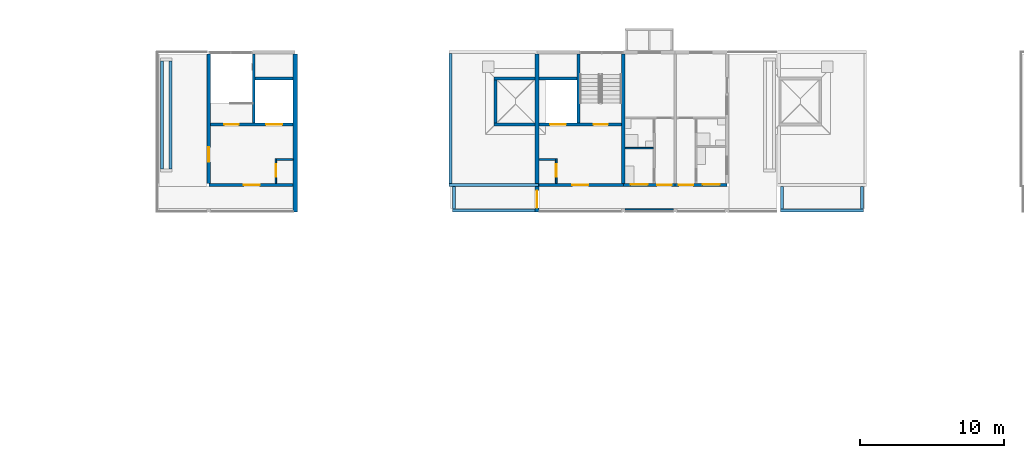
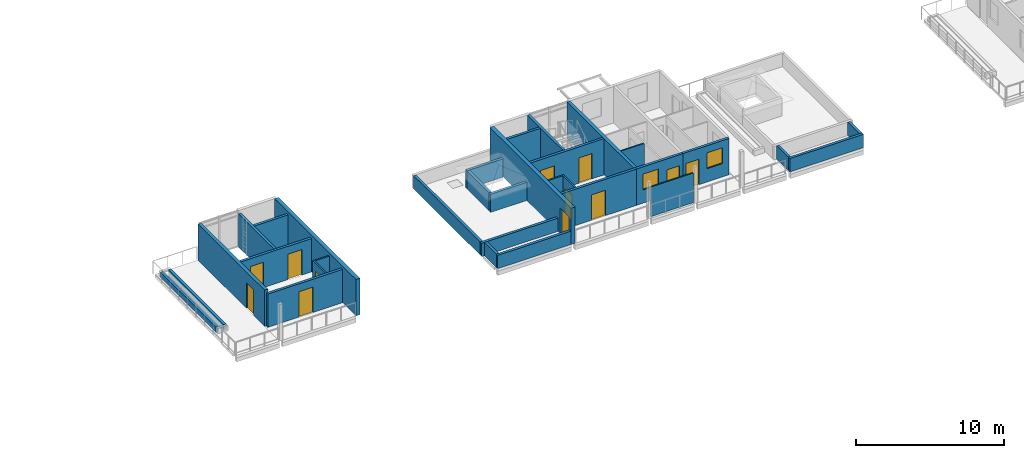
# One storey, part 44 of 78: 32 walls, 12 doors, 2 windows, 14 openings.
"""IFC4 building model written with IfcOpenShell, lengths in metres."""

from ifc_helpers import new_model, si_unit, direction, frame, frame_2d, origin, place, context, subcontext, project, spatial, rectangle, extrude, material, layer, layer_set, type_object, element, fill, save


model = new_model("IFC4")

# Units and contexts
model_context = context("Model", 3, precision=1e-05, world=origin(), true_north=direction((0.0, 1.0)))
body_context = subcontext(model_context, "Body", "Model", "MODEL_VIEW")
ifc_project = project(units=[si_unit("LENGTHUNIT", "METRE"), si_unit("AREAUNIT", "SQUARE_METRE"), si_unit("VOLUMEUNIT", "CUBIC_METRE"), si_unit("PLANEANGLEUNIT", "RADIAN"), si_unit("MASSUNIT", "GRAM", prefix="KILO")], contexts=[model_context])

# Site, building, storey
site_placement = place(None, origin())
site = spatial("IfcSite", under=ifc_project, at=site_placement, CompositionType="ELEMENT")
building_placement = place(site_placement, origin())
building = spatial("IfcBuilding", under=site, at=building_placement, Name="Ridgestep Commons", CompositionType="ELEMENT")
storey_placement = place(building_placement, frame((0.0, 0.0, 30.0)))
storey = spatial("IfcBuildingStorey", under=building, at=storey_placement, Name="L10", CompositionType="ELEMENT", Elevation=30.0)

# Wall
ifc_material_1 = material(Name="Concrete C30/37", Category="concrete")
ifc_layer_1 = layer(ifc_material_1, 0.25)
ifc_layer_set_1 = layer_set([ifc_layer_1], Name="Core cross wall 250")
wall_type_1 = type_object("IfcWallType", Name="Core cross wall 250", PredefinedType="SHEAR", material=ifc_layer_set_1)
wall_1_placement = place(storey_placement, frame((186.39990234375, 68.0, 0.0), z_axis=(0.0, 0.0, 1.0), x_axis=(0.0, 1.0, 0.0)))
element("IfcWall", 1, at=wall_1_placement, inside=storey, type_object=wall_type_1, Name="Cross wall C-10-1864", PredefinedType="SHEAR", context=body_context, shape_type="SweptSolid", body=[
    extrude(rectangle(XDim=9.0, YDim=0.25, at=frame_2d((4.5, 0.0))), origin(), (0.0, 0.0, 1.0), 3.0),
])

# Wall, opening, door
ifc_material_2 = material(Name="Concrete C30/37", Category="concrete")
ifc_layer_2 = layer(ifc_material_2, 0.199951171875)
ifc_layer_set_2 = layer_set([ifc_layer_2], Name="Core south wall 200")
wall_type_2 = type_object("IfcWallType", Name="Core south wall 200", PredefinedType="SHEAR", material=ifc_layer_set_2)
wall_2_placement = place(storey_placement, frame((157.60009765625, 67.89990234375, 0.0), z_axis=(0.0, 0.0, 1.0), x_axis=(1.0, 0.0, 0.0)))
wall_2 = element("IfcWall", 2, at=wall_2_placement, inside=storey, type_object=wall_type_2, Name="Core south wall C1C L10", PredefinedType="SHEAR", context=body_context, shape_type="SweptSolid", body=[
    extrude(rectangle(XDim=5.849853515625, YDim=0.199951171875, at=frame_2d((2.9248046875, 0.0))), origin(), (0.0, 0.0, 1.0), 2.75),
])
opening_1_placement = place(wall_2_placement, frame((2.4375, 0.0, 0.0)))
opening_1 = element("IfcOpeningElement", 3, at=opening_1_placement, cuts=wall_2, Name="Opening C1C/10/1", PredefinedType="OPENING", context=body_context, shape_type="SweptSolid", body=[
    extrude(rectangle(XDim=1.10009765625, YDim=2.10009765625, at=frame_2d((0.550048828125, 1.050048828125))), frame((0.0, 0.10986328125, 0.0), z_axis=(0.0, -1.0, 0.0), x_axis=(1.0, 0.0, 0.0)), (0.0, 0.0, 1.0), 0.219970703125),
])
ifc_material_3 = material(Name="Steel fire door", Category="steel")
door_type_1 = type_object("IfcDoorType", Name="Lobby door 1100 x 2100 FD60", OperationType="NOTDEFINED", PredefinedType="DOOR", material=ifc_material_3)
door_1_placement = place(opening_1_placement, origin())
door_1 = element("IfcDoor", 4, at=door_1_placement, inside=storey, type_object=door_type_1, Name="Lobby door C1C/10/1", OperationType="SINGLE_SWING_LEFT", OverallHeight=2.10009765625, OverallWidth=1.10009765625, PredefinedType="DOOR", context=body_context, shape_type="SweptSolid", body=[
    extrude(rectangle(XDim=1.10009765625, YDim=2.10009765625, at=frame_2d((0.550048828125, 1.050048828125))), frame((0.0, 0.02490234375, 0.0), z_axis=(0.0, -1.0, 0.0), x_axis=(1.0, 0.0, 0.0)), (0.0, 0.0, 1.0), 0.050048828125),
])
fill(opening_1, door_1)

wall_3_placement = place(storey_placement, frame((180.550048828125, 67.89990234375, 0.0), z_axis=(0.0, 0.0, 1.0), x_axis=(1.0, 0.0, 0.0)))
wall_3 = element("IfcWall", 5, at=wall_3_placement, inside=storey, type_object=wall_type_2, Name="Core south wall C3C L10", PredefinedType="SHEAR", context=body_context, shape_type="SweptSolid", body=[
    extrude(rectangle(XDim=5.849853515625, YDim=0.199951171875, at=frame_2d((2.9248046875, 0.0))), origin(), (0.0, 0.0, 1.0), 3.0),
])
opening_2_placement = place(wall_3_placement, frame((2.3125, 0.0, 0.0)))
opening_2 = element("IfcOpeningElement", 6, at=opening_2_placement, cuts=wall_3, Name="Opening C3C/10/1", PredefinedType="OPENING", context=body_context, shape_type="SweptSolid", body=[
    extrude(rectangle(XDim=1.10009765625, YDim=2.10009765625, at=frame_2d((0.550048828125, 1.050048828125))), frame((0.0, 0.10986328125, 0.0), z_axis=(0.0, -1.0, 0.0), x_axis=(1.0, 0.0, 0.0)), (0.0, 0.0, 1.0), 0.219970703125),
])
door_2_placement = place(opening_2_placement, origin())
door_2 = element("IfcDoor", 7, at=door_2_placement, inside=storey, type_object=door_type_1, Name="Lobby door C3C/10/1", OperationType="SINGLE_SWING_LEFT", OverallHeight=2.10009765625, OverallWidth=1.10009765625, PredefinedType="DOOR", context=body_context, shape_type="SweptSolid", body=[
    extrude(rectangle(XDim=1.10009765625, YDim=2.10009765625, at=frame_2d((0.550048828125, 1.050048828125))), frame((0.0, 0.02490234375, 0.0), z_axis=(0.0, -1.0, 0.0), x_axis=(1.0, 0.0, 0.0)), (0.0, 0.0, 1.0), 0.050048828125),
])
fill(opening_2, door_2)

ifc_material_4 = material(Name="Concrete C30/37", Category="concrete")
ifc_layer_3 = layer(ifc_material_4, 0.1201171875)
ifc_layer_set_3 = layer_set([ifc_layer_3], Name="Core wall 120")
wall_type_3 = type_object("IfcWallType", Name="Core wall 120", PredefinedType="SHEAR", material=ifc_layer_set_3)
wall_4_placement = place(storey_placement, frame((162.260009765625, 68.0, 0.0), z_axis=(0.0, 0.0, 1.0), x_axis=(0.0, 1.0, 0.0)))
wall_4 = element("IfcWall", 8, at=wall_4_placement, inside=storey, type_object=wall_type_3, Name="Core riser w wall C1C L10", PredefinedType="SHEAR", context=body_context, shape_type="SweptSolid", body=[
    extrude(rectangle(XDim=1.719970703125, YDim=0.1201171875, at=frame_2d((0.85986328125, 0.0))), origin(), (0.0, 0.0, 1.0), 2.75),
])
opening_3_placement = place(wall_4_placement, frame((0.449951171875, 0.0, 0.0)))
opening_3 = element("IfcOpeningElement", 9, at=opening_3_placement, cuts=wall_4, Name="Opening C1C/10/4", PredefinedType="OPENING", context=body_context, shape_type="SweptSolid", body=[
    extrude(rectangle(XDim=0.89990234375, YDim=2.10009765625, at=frame_2d((0.449951171875, 1.050048828125))), frame((0.0, 0.070068359375, 0.0), z_axis=(0.0, -1.0, 0.0), x_axis=(1.0, 0.0, 0.0)), (0.0, 0.0, 1.0), 0.14013671875),
])
ifc_material_5 = material(Name="Steel fire door", Category="steel")
door_type_2 = type_object("IfcDoorType", Name="Riser door 900 x 2100 FD60", OperationType="NOTDEFINED", PredefinedType="DOOR", material=ifc_material_5)
door_3_placement = place(opening_3_placement, origin())
door_3 = element("IfcDoor", 10, at=door_3_placement, inside=storey, type_object=door_type_2, Name="Riser door C1C/10/4", OperationType="SINGLE_SWING_LEFT", OverallHeight=2.10009765625, OverallWidth=0.89990234375, PredefinedType="DOOR", context=body_context, shape_type="SweptSolid", body=[
    extrude(rectangle(XDim=0.89990234375, YDim=2.10009765625, at=frame_2d((0.449951171875, 1.050048828125))), frame((0.0, 0.02490234375, 0.0), z_axis=(0.0, -1.0, 0.0), x_axis=(1.0, 0.0, 0.0)), (0.0, 0.0, 1.0), 0.050048828125),
])
fill(opening_3, door_3)

# Wall
wall_5_placement = place(storey_placement, frame((162.320068359375, 69.659912109375, 0.0), z_axis=(0.0, 0.0, 1.0), x_axis=(1.0, 0.0, 0.0)))
element("IfcWall", 11, at=wall_5_placement, inside=storey, type_object=wall_type_3, Name="Core riser n wall C1C L10", PredefinedType="SHEAR", context=body_context, shape_type="SweptSolid", body=[
    extrude(rectangle(XDim=1.1298828125, YDim=0.1201171875, at=frame_2d((0.56494140625, 0.0))), origin(), (0.0, 0.0, 1.0), 2.75),
])

# Wall, opening, door
wall_6_placement = place(storey_placement, frame((181.739990234375, 68.0, 0.0), z_axis=(0.0, 0.0, 1.0), x_axis=(0.0, 1.0, 0.0)))
wall_6 = element("IfcWall", 12, at=wall_6_placement, inside=storey, type_object=wall_type_3, Name="Core riser w wall C3C L10", PredefinedType="SHEAR", context=body_context, shape_type="SweptSolid", body=[
    extrude(rectangle(XDim=1.719970703125, YDim=0.1201171875, at=frame_2d((0.85986328125, 0.0))), origin(), (0.0, 0.0, 1.0), 3.0),
])
opening_4_placement = place(wall_6_placement, frame((0.449951171875, 0.0, 0.0)))
opening_4 = element("IfcOpeningElement", 13, at=opening_4_placement, cuts=wall_6, Name="Opening C3C/10/4", PredefinedType="OPENING", context=body_context, shape_type="SweptSolid", body=[
    extrude(rectangle(XDim=0.89990234375, YDim=2.10009765625, at=frame_2d((0.449951171875, 1.050048828125))), frame((0.0, 0.070068359375, 0.0), z_axis=(0.0, -1.0, 0.0), x_axis=(1.0, 0.0, 0.0)), (0.0, 0.0, 1.0), 0.14013671875),
])
door_4_placement = place(opening_4_placement, origin())
door_4 = element("IfcDoor", 14, at=door_4_placement, inside=storey, type_object=door_type_2, Name="Riser door C3C/10/4", OperationType="SINGLE_SWING_RIGHT", OverallHeight=2.10009765625, OverallWidth=0.89990234375, PredefinedType="DOOR", context=body_context, shape_type="SweptSolid", body=[
    extrude(rectangle(XDim=0.89990234375, YDim=2.10009765625, at=frame_2d((0.449951171875, 1.050048828125))), frame((0.0, 0.02490234375, 0.0), z_axis=(0.0, -1.0, 0.0), x_axis=(1.0, 0.0, 0.0)), (0.0, 0.0, 1.0), 0.050048828125),
])
fill(opening_4, door_4)

# Wall
wall_7_placement = place(storey_placement, frame((180.550048828125, 69.659912109375, 0.0), z_axis=(0.0, 0.0, 1.0), x_axis=(1.0, 0.0, 0.0)))
element("IfcWall", 15, at=wall_7_placement, inside=storey, type_object=wall_type_3, Name="Core riser n wall C3C L10", PredefinedType="SHEAR", context=body_context, shape_type="SweptSolid", body=[
    extrude(rectangle(XDim=1.1298828125, YDim=0.1201171875, at=frame_2d((0.56494140625, 0.0))), origin(), (0.0, 0.0, 1.0), 3.0),
])

# Wall, openings, doors
ifc_material_6 = material(Name="Concrete C30/37", Category="concrete")
ifc_layer_4 = layer(ifc_material_6, 0.199951171875)
ifc_layer_set_4 = layer_set([ifc_layer_4], Name="Core wall 200")
wall_type_4 = type_object("IfcWallType", Name="Core wall 200", PredefinedType="SHEAR", material=ifc_layer_set_4)
wall_8_placement = place(storey_placement, frame((157.72509765625, 72.10009765625, 0.0), z_axis=(0.0, 0.0, 1.0), x_axis=(1.0, 0.0, 0.0)))
wall_8 = element("IfcWall", 16, at=wall_8_placement, inside=storey, type_object=wall_type_4, Name="Core lobby wall C1C L10", PredefinedType="SHEAR", context=body_context, shape_type="SweptSolid", body=[
    extrude(rectangle(XDim=5.724853515625, YDim=0.199951171875, at=frame_2d((2.8623046875, 0.0))), origin(), (0.0, 0.0, 1.0), 2.75),
])
opening_5_placement = place(wall_8_placement, frame((0.949951171875, 0.0, 0.0)))
opening_5 = element("IfcOpeningElement", 17, at=opening_5_placement, cuts=wall_8, Name="Opening C1C/10/2", PredefinedType="OPENING", context=body_context, shape_type="SweptSolid", body=[
    extrude(rectangle(XDim=1.0, YDim=2.10009765625, at=frame_2d((0.5, 1.050048828125))), frame((0.0, 0.10986328125, 0.0), z_axis=(0.0, -1.0, 0.0), x_axis=(1.0, 0.0, 0.0)), (0.0, 0.0, 1.0), 0.219970703125),
])
opening_6_placement = place(wall_8_placement, frame((3.862548828125, 0.0, 0.0)))
opening_6 = element("IfcOpeningElement", 18, at=opening_6_placement, cuts=wall_8, Name="Opening C1C/10/3", PredefinedType="OPENING", context=body_context, shape_type="SweptSolid", body=[
    extrude(rectangle(XDim=1.10009765625, YDim=2.10009765625, at=frame_2d((0.550048828125, 1.050048828125))), frame((0.0, 0.10986328125, 0.0), z_axis=(0.0, -1.0, 0.0), x_axis=(1.0, 0.0, 0.0)), (0.0, 0.0, 1.0), 0.219970703125),
])
ifc_material_7 = material(Name="Stainless steel", Category="steel")
door_type_3 = type_object("IfcDoorType", Name="Lift landing door 1100 x 2100 FD60", OperationType="DOUBLE_DOOR_SLIDING", PredefinedType="DOOR", material=ifc_material_7)
door_5_placement = place(opening_6_placement, origin())
door_5 = element("IfcDoor", 19, at=door_5_placement, inside=storey, type_object=door_type_3, Name="Landing door LD C1C L10", OperationType="DOUBLE_DOOR_SLIDING", OverallHeight=2.10009765625, OverallWidth=1.10009765625, PredefinedType="DOOR", context=body_context, shape_type="SweptSolid", body=[
    extrude(rectangle(XDim=1.10009765625, YDim=2.10009765625, at=frame_2d((0.550048828125, 1.050048828125))), frame((0.0, 0.02490234375, 0.0), z_axis=(0.0, -1.0, 0.0), x_axis=(1.0, 0.0, 0.0)), (0.0, 0.0, 1.0), 0.050048828125),
])
fill(opening_6, door_5)
ifc_material_8 = material(Name="Steel fire door", Category="steel")
door_type_4 = type_object("IfcDoorType", Name="Stair door 1000 x 2100 FD60", OperationType="NOTDEFINED", PredefinedType="DOOR", material=ifc_material_8)
door_6_placement = place(opening_5_placement, origin())
door_6 = element("IfcDoor", 20, at=door_6_placement, inside=storey, type_object=door_type_4, Name="Stair door C1C/10/2", OperationType="SINGLE_SWING_RIGHT", OverallHeight=2.10009765625, OverallWidth=1.0, PredefinedType="DOOR", context=body_context, shape_type="SweptSolid", body=[
    extrude(rectangle(XDim=1.0, YDim=2.10009765625, at=frame_2d((0.5, 1.050048828125))), frame((0.0, 0.02490234375, 0.0), z_axis=(0.0, -1.0, 0.0), x_axis=(1.0, 0.0, 0.0)), (0.0, 0.0, 1.0), 0.050048828125),
])
fill(opening_5, door_6)

# Walls
wall_9_placement = place(storey_placement, frame((160.72509765625, 72.199951171875, 0.0), z_axis=(0.0, 0.0, 1.0), x_axis=(0.0, 1.0, 0.0)))
element("IfcWall", 21, at=wall_9_placement, inside=storey, type_object=wall_type_4, Name="Core stair wall C1C L10", PredefinedType="SHEAR", context=body_context, shape_type="SweptSolid", body=[
    extrude(rectangle(XDim=4.800048828125, YDim=0.199951171875, at=frame_2d((2.39990234375, 0.0))), origin(), (0.0, 0.0, 1.0), 2.75),
])
wall_10_placement = place(storey_placement, frame((160.824951171875, 75.300048828125, 0.0), z_axis=(0.0, 0.0, 1.0), x_axis=(1.0, 0.0, 0.0)))
element("IfcWall", 22, at=wall_10_placement, inside=storey, type_object=wall_type_4, Name="Core duct wall C1C L10", PredefinedType="SHEAR", context=body_context, shape_type="SweptSolid", body=[
    extrude(rectangle(XDim=2.625, YDim=0.199951171875, at=frame_2d((1.3125, 0.0))), origin(), (0.0, 0.0, 1.0), 2.75),
])

# Wall, openings, doors
wall_11_placement = place(storey_placement, frame((180.550048828125, 72.10009765625, 0.0), z_axis=(0.0, 0.0, 1.0), x_axis=(1.0, 0.0, 0.0)))
wall_11 = element("IfcWall", 23, at=wall_11_placement, inside=storey, type_object=wall_type_4, Name="Core lobby wall C3C L10", PredefinedType="SHEAR", context=body_context, shape_type="SweptSolid", body=[
    extrude(rectangle(XDim=5.724853515625, YDim=0.199951171875, at=frame_2d((2.8623046875, 0.0))), origin(), (0.0, 0.0, 1.0), 3.0),
])
opening_7_placement = place(wall_11_placement, frame((3.77490234375, 0.0, 0.0)))
opening_7 = element("IfcOpeningElement", 24, at=opening_7_placement, cuts=wall_11, Name="Opening C3C/10/2", PredefinedType="OPENING", context=body_context, shape_type="SweptSolid", body=[
    extrude(rectangle(XDim=1.0, YDim=2.10009765625, at=frame_2d((0.5, 1.050048828125))), frame((0.0, 0.10986328125, 0.0), z_axis=(0.0, -1.0, 0.0), x_axis=(1.0, 0.0, 0.0)), (0.0, 0.0, 1.0), 0.219970703125),
])
opening_8_placement = place(wall_11_placement, frame((0.762451171875, 0.0, 0.0)))
opening_8 = element("IfcOpeningElement", 25, at=opening_8_placement, cuts=wall_11, Name="Opening C3C/10/3", PredefinedType="OPENING", context=body_context, shape_type="SweptSolid", body=[
    extrude(rectangle(XDim=1.10009765625, YDim=2.10009765625, at=frame_2d((0.550048828125, 1.050048828125))), frame((0.0, 0.10986328125, 0.0), z_axis=(0.0, -1.0, 0.0), x_axis=(1.0, 0.0, 0.0)), (0.0, 0.0, 1.0), 0.219970703125),
])
door_7_placement = place(opening_8_placement, origin())
door_7 = element("IfcDoor", 26, at=door_7_placement, inside=storey, type_object=door_type_3, Name="Landing door LD C3C L10", OperationType="DOUBLE_DOOR_SLIDING", OverallHeight=2.10009765625, OverallWidth=1.10009765625, PredefinedType="DOOR", context=body_context, shape_type="SweptSolid", body=[
    extrude(rectangle(XDim=1.10009765625, YDim=2.10009765625, at=frame_2d((0.550048828125, 1.050048828125))), frame((0.0, 0.02490234375, 0.0), z_axis=(0.0, -1.0, 0.0), x_axis=(1.0, 0.0, 0.0)), (0.0, 0.0, 1.0), 0.050048828125),
])
fill(opening_8, door_7)
door_8_placement = place(opening_7_placement, origin())
door_8 = element("IfcDoor", 27, at=door_8_placement, inside=storey, type_object=door_type_4, Name="Stair door C3C/10/2", OperationType="SINGLE_SWING_RIGHT", OverallHeight=2.10009765625, OverallWidth=1.0, PredefinedType="DOOR", context=body_context, shape_type="SweptSolid", body=[
    extrude(rectangle(XDim=1.0, YDim=2.10009765625, at=frame_2d((0.5, 1.050048828125))), frame((0.0, 0.02490234375, 0.0), z_axis=(0.0, -1.0, 0.0), x_axis=(1.0, 0.0, 0.0)), (0.0, 0.0, 1.0), 0.050048828125),
])
fill(opening_7, door_8)

# Walls
wall_12_placement = place(storey_placement, frame((183.27490234375, 72.199951171875, 0.0), z_axis=(0.0, 0.0, 1.0), x_axis=(0.0, 1.0, 0.0)))
element("IfcWall", 28, at=wall_12_placement, inside=storey, type_object=wall_type_4, Name="Core stair wall C3C L10", PredefinedType="SHEAR", context=body_context, shape_type="SweptSolid", body=[
    extrude(rectangle(XDim=4.800048828125, YDim=0.199951171875, at=frame_2d((2.39990234375, 0.0))), origin(), (0.0, 0.0, 1.0), 3.0),
])
wall_13_placement = place(storey_placement, frame((180.550048828125, 75.300048828125, 0.0), z_axis=(0.0, 0.0, 1.0), x_axis=(1.0, 0.0, 0.0)))
element("IfcWall", 29, at=wall_13_placement, inside=storey, type_object=wall_type_4, Name="Core duct wall C3C L10", PredefinedType="SHEAR", context=body_context, shape_type="SweptSolid", body=[
    extrude(rectangle(XDim=2.625, YDim=0.199951171875, at=frame_2d((1.3125, 0.0))), origin(), (0.0, 0.0, 1.0), 3.0),
])

# Wall, opening, door
ifc_material_9 = material(Name="Concrete C30/37", Category="concrete")
ifc_layer_5 = layer(ifc_material_9, 0.25)
ifc_layer_set_5 = layer_set([ifc_layer_5], Name="Exposed core cross wall 250")
wall_type_5 = type_object("IfcWallType", Name="Exposed core cross wall 250", PredefinedType="SHEAR", material=ifc_layer_set_5)
wall_14_placement = place(storey_placement, frame((157.60009765625, 68.0, 0.0), z_axis=(0.0, 0.0, 1.0), x_axis=(0.0, 1.0, 0.0)))
wall_14 = element("IfcWall", 30, at=wall_14_placement, inside=storey, type_object=wall_type_5, Name="Cross wall C-10-1576", PredefinedType="SHEAR", context=body_context, shape_type="SweptSolid", body=[
    extrude(rectangle(XDim=9.0, YDim=0.25, at=frame_2d((4.5, 0.0))), origin(), (0.0, 0.0, 1.0), 3.0),
])
opening_9_placement = place(wall_14_placement, frame((1.5, 0.0, 0.0)))
opening_9 = element("IfcOpeningElement", 31, at=opening_9_placement, cuts=wall_14, Name="Opening C1C/10/T", PredefinedType="OPENING", context=body_context, shape_type="SweptSolid", body=[
    extrude(rectangle(XDim=1.0, YDim=2.10009765625, at=frame_2d((0.5, 1.050048828125))), frame((0.0, 0.135009765625, 0.0), z_axis=(0.0, -1.0, 0.0), x_axis=(1.0, 0.0, 0.0)), (0.0, 0.0, 1.0), 0.27001953125),
])
ifc_material_10 = material(Name="Aluminium and glass", Category="aluminium")
door_type_5 = type_object("IfcDoorType", Name="Terrace door 1000 x 2100 FD60", OperationType="NOTDEFINED", PredefinedType="DOOR", material=ifc_material_10)
door_9_placement = place(opening_9_placement, origin())
door_9 = element("IfcDoor", 32, at=door_9_placement, inside=storey, type_object=door_type_5, Name="Terrace door C1C/10/T", OperationType="SINGLE_SWING_LEFT", OverallHeight=2.10009765625, OverallWidth=1.0, PredefinedType="DOOR", context=body_context, shape_type="SweptSolid", body=[
    extrude(rectangle(XDim=1.0, YDim=2.10009765625, at=frame_2d((0.5, 1.050048828125))), frame((0.0, 0.02490234375, 0.0), z_axis=(0.0, -1.0, 0.0), x_axis=(1.0, 0.0, 0.0)), (0.0, 0.0, 1.0), 0.050048828125),
])
fill(opening_9, door_9)

# Wall
ifc_material_11 = material(Name="Precast concrete C40/50", Category="concrete")
ifc_layer_6 = layer(ifc_material_11, 0.300048828125)
ifc_layer_set_6 = layer_set([ifc_layer_6], Name="Exposed division wall 300")
wall_type_6 = type_object("IfcWallType", Name="Exposed division wall 300", PredefinedType="SHEAR", material=ifc_layer_set_6)
wall_15_placement = place(storey_placement, frame((163.60009765625, 66.0, 0.0), z_axis=(0.0, 0.0, 1.0), x_axis=(0.0, 1.0, 0.0)))
element("IfcWall", 33, at=wall_15_placement, inside=storey, type_object=wall_type_6, Name="Cross wall C-10-1636", PredefinedType="SHEAR", context=body_context, shape_type="SweptSolid", body=[
    extrude(rectangle(XDim=11.0, YDim=0.300048828125, at=frame_2d((5.5, 0.0))), origin(), (0.0, 0.0, 1.0), 3.0),
])

# Wall, opening, door
wall_16_placement = place(storey_placement, frame((180.39990234375, 66.0, 0.0), z_axis=(0.0, 0.0, 1.0), x_axis=(0.0, 1.0, 0.0)))
wall_16 = element("IfcWall", 34, at=wall_16_placement, inside=storey, type_object=wall_type_6, Name="Cross wall C-10-1804", PredefinedType="SHEAR", context=body_context, shape_type="SweptSolid", body=[
    extrude(rectangle(XDim=11.0, YDim=0.300048828125, at=frame_2d((5.5, 0.0))), origin(), (0.0, 0.0, 1.0), 3.0),
])
opening_10_placement = place(wall_16_placement, frame((0.300048828125, 0.0, 0.0)))
opening_10 = element("IfcOpeningElement", 35, at=opening_10_placement, cuts=wall_16, Name="Opening C/10/G1804", PredefinedType="OPENING", context=body_context, shape_type="SweptSolid", body=[
    extrude(rectangle(XDim=1.199951171875, YDim=2.10009765625, at=frame_2d((0.60009765625, 1.050048828125))), frame((0.0, 0.159912109375, 0.0), z_axis=(0.0, -1.0, 0.0), x_axis=(1.0, 0.0, 0.0)), (0.0, 0.0, 1.0), 0.320068359375),
])
ifc_material_12 = material(Name="Steel fire door", Category="steel")
door_type_6 = type_object("IfcDoorType", Name="Division fire door 1200 x 2100 EI 240", OperationType="DOUBLE_DOOR_SINGLE_SWING", PredefinedType="DOOR", material=ifc_material_12)
door_10_placement = place(opening_10_placement, origin())
door_10 = element("IfcDoor", 36, at=door_10_placement, inside=storey, type_object=door_type_6, Name="Division fire door C/10/G1804", OperationType="DOUBLE_DOOR_SINGLE_SWING", OverallHeight=2.10009765625, OverallWidth=1.199951171875, PredefinedType="DOOR", context=body_context, shape_type="SweptSolid", body=[
    extrude(rectangle(XDim=1.199951171875, YDim=2.10009765625, at=frame_2d((0.60009765625, 1.050048828125))), frame((0.0, 0.02490234375, 0.0), z_axis=(0.0, -1.0, 0.0), x_axis=(1.0, 0.0, 0.0)), (0.0, 0.0, 1.0), 0.050048828125),
])
fill(opening_10, door_10)

# Walls
ifc_material_13 = material(Name="Concrete C30/37", Category="concrete")
ifc_layer_7 = layer(ifc_material_13, 0.199951171875)
ifc_layer_set_7 = layer_set([ifc_layer_7], Name="Lift overrun wall 200")
wall_type_7 = type_object("IfcWallType", Name="Lift overrun wall 200", PredefinedType="SHEAR", material=ifc_layer_set_7)
for number, where, z_axis, x_axis, name in (
    (37, (177.425048828125, 72.10009765625, 0.0), (0.0, 0.0, 1.0), (1.0, 0.0, 0.0), "Lift overrun wall C2C"),
    (38, (177.425048828125, 75.300048828125, 0.0), (0.0, 0.0, 1.0), (1.0, 0.0, 0.0), "Lift overrun wall C2C"),
):
    element("IfcWall", number, at=place(storey_placement, frame(where, z_axis=z_axis, x_axis=x_axis)), inside=storey, type_object=wall_type_7, Name=name, PredefinedType="SHEAR", context=body_context, shape_type="SweptSolid", body=[
        extrude(rectangle(XDim=2.824951171875, YDim=0.199951171875, at=frame_2d((1.41259765625, 0.0))), origin(), (0.0, 0.0, 1.0), 1.5),
    ])
wall_17_placement = place(storey_placement, frame((177.52490234375, 72.199951171875, 0.0), z_axis=(0.0, 0.0, 1.0), x_axis=(0.0, 1.0, 0.0)))
element("IfcWall", 39, at=wall_17_placement, inside=storey, type_object=wall_type_7, Name="Lift overrun wall C2C", PredefinedType="SHEAR", context=body_context, shape_type="SweptSolid", body=[
    extrude(rectangle(XDim=3.0, YDim=0.199951171875, at=frame_2d((1.5, 0.0))), origin(), (0.0, 0.0, 1.0), 1.5),
])
ifc_material_14 = material(Name="Precast concrete C40/50", Category="concrete")
ifc_layer_8 = layer(ifc_material_14, 0.199951171875)
ifc_layer_set_8 = layer_set([ifc_layer_8], Name="Parapet wall 200")
wall_type_8 = type_object("IfcWallType", Name="Parapet wall 200", PredefinedType="PARAPET", material=ifc_layer_set_8)
wall_18_placement = place(storey_placement, frame((174.300048828125, 67.89990234375, 0.0), z_axis=(0.0, 0.0, 1.0), x_axis=(1.0, 0.0, 0.0)))
element("IfcWall", 40, at=wall_18_placement, inside=storey, type_object=wall_type_8, Name="Parapet C2C south", PredefinedType="PARAPET", context=body_context, shape_type="SweptSolid", body=[
    extrude(rectangle(XDim=6.199951171875, YDim=0.199951171875, at=frame_2d((3.10009765625, 0.0))), origin(), (0.0, 0.0, 1.0), 1.10009765625),
])
wall_19_placement = place(storey_placement, frame((174.39990234375, 68.0, 0.0), z_axis=(0.0, 0.0, 1.0), x_axis=(0.0, 1.0, 0.0)))
element("IfcWall", 41, at=wall_19_placement, inside=storey, type_object=wall_type_8, Name="Parapet C2C west", PredefinedType="PARAPET", context=body_context, shape_type="SweptSolid", body=[
    extrude(rectangle(XDim=9.02490234375, YDim=0.199951171875, at=frame_2d((4.512451171875, 0.0))), origin(), (0.0, 0.0, 1.0), 1.10009765625),
])
wall_20_placement = place(storey_placement, frame((174.52490234375, 66.125, 0.0), z_axis=(0.0, 0.0, 1.0), x_axis=(1.0, 0.0, 0.0)))
element("IfcWall", 42, at=wall_20_placement, inside=storey, type_object=wall_type_8, Name="Parapet C2C gallery south", PredefinedType="PARAPET", context=body_context, shape_type="SweptSolid", body=[
    extrude(rectangle(XDim=5.75, YDim=0.199951171875, at=frame_2d((2.875, 0.0))), origin(), (0.0, 0.0, 1.0), 1.10009765625),
])
wall_21_placement = place(storey_placement, frame((174.625, 66.22509765625, 0.0), z_axis=(0.0, 0.0, 1.0), x_axis=(0.0, 1.0, 0.0)))
element("IfcWall", 43, at=wall_21_placement, inside=storey, type_object=wall_type_8, Name="Parapet C2C gallery west", PredefinedType="PARAPET", context=body_context, shape_type="SweptSolid", body=[
    extrude(rectangle(XDim=1.574951171875, YDim=0.199951171875, at=frame_2d((0.78759765625, 0.0))), origin(), (0.0, 0.0, 1.0), 1.10009765625),
])
wall_22_placement = place(storey_placement, frame((197.324951171875, 66.125, 0.0), z_axis=(0.0, 0.0, 1.0), x_axis=(1.0, 0.0, 0.0)))
element("IfcWall", 44, at=wall_22_placement, inside=storey, type_object=wall_type_8, Name="Parapet C4C gallery south", PredefinedType="PARAPET", context=body_context, shape_type="SweptSolid", body=[
    extrude(rectangle(XDim=5.75, YDim=0.199951171875, at=frame_2d((2.875, 0.0))), origin(), (0.0, 0.0, 1.0), 1.10009765625),
])
for number, where, z_axis, x_axis, name in (
    (45, (197.425048828125, 66.22509765625, 0.0), (0.0, 0.0, 1.0), (0.0, 1.0, 0.0), "Parapet C4C gallery west"),
    (46, (202.97509765625, 66.22509765625, 0.0), (0.0, 0.0, 1.0), (0.0, 1.0, 0.0), "Parapet C4C gallery east"),
):
    element("IfcWall", number, at=place(storey_placement, frame(where, z_axis=z_axis, x_axis=x_axis)), inside=storey, type_object=wall_type_8, Name=name, PredefinedType="PARAPET", context=body_context, shape_type="SweptSolid", body=[
        extrude(rectangle(XDim=1.574951171875, YDim=0.199951171875, at=frame_2d((0.78759765625, 0.0))), origin(), (0.0, 0.0, 1.0), 1.10009765625),
    ])
ifc_material_15 = material(Name="Common brick 110 mm", Category="masonry")
ifc_layer_9 = layer(ifc_material_15, 0.110107421875)
ifc_layer_set_9 = layer_set([ifc_layer_9], Name="Partition 110")
wall_type_9 = type_object("IfcWallType", Name="Partition 110", PredefinedType="PARTITIONING", material=ifc_layer_set_9)
wall_23_placement = place(storey_placement, frame((186.52490234375, 70.455078125, 0.0), z_axis=(0.0, 0.0, 1.0), x_axis=(1.0, 0.0, 0.0)))
element("IfcWall", 47, at=wall_23_placement, inside=storey, type_object=wall_type_9, Name="Partition C3-10b", PredefinedType="PARTITIONING", context=body_context, shape_type="SweptSolid", body=[
    extrude(rectangle(XDim=1.965087890625, YDim=0.110107421875, at=frame_2d((0.982421875, 0.0))), origin(), (0.0, 0.0, 1.0), 2.800048828125),
])
ifc_material_16 = material(Name="Precast concrete C30/37", Category="concrete")
ifc_layer_10 = layer(ifc_material_16, 0.10009765625)
ifc_layer_set_10 = layer_set([ifc_layer_10], Name="Perforated gallery screen 3350 x 2450 x 100")
wall_type_10 = type_object("IfcWallType", Name="Perforated gallery screen 3350 x 2450 x 100", PredefinedType="SOLIDWALL", material=ifc_layer_set_10)
wall_24_placement = place(storey_placement, frame((186.52490234375, 66.199951171875, 0.0), z_axis=(0.0, 0.0, 1.0), x_axis=(1.0, 0.0, 0.0)))
element("IfcWall", 48, at=wall_24_placement, inside=storey, type_object=wall_type_10, Name="Gallery screen C3T3 10", PredefinedType="SOLIDWALL", context=body_context, shape_type="SweptSolid", body=[
    extrude(rectangle(XDim=3.35009765625, YDim=0.10009765625, at=frame_2d((1.675048828125, 0.0))), origin(), (0.0, 0.0, 1.0), 2.449951171875),
])
ifc_material_17 = material(Name="Facing brick", Category="masonry")
ifc_layer_11 = layer(ifc_material_17, 0.199951171875)
ifc_layer_set_11 = layer_set([ifc_layer_11], Name="Planter wall 200")
wall_type_11 = type_object("IfcWallType", Name="Planter wall 200", PredefinedType="SOLIDWALL", material=ifc_layer_set_11)
for number, where, z_axis, x_axis, name in (
    (49, (154.35009765625, 69.0, 0.010009765625), (0.0, 0.0, 1.0), (0.0, 1.0, 0.0), "Planter wall C1R3W"),
    (50, (154.949951171875, 69.0, 0.010009765625), (0.0, 0.0, 1.0), (0.0, 1.0, 0.0), "Planter wall C1R3E"),
):
    element("IfcWall", number, at=place(storey_placement, frame(where, z_axis=z_axis, x_axis=x_axis)), inside=storey, type_object=wall_type_11, Name=name, PredefinedType="SOLIDWALL", context=body_context, shape_type="SweptSolid", body=[
        extrude(rectangle(XDim=7.5, YDim=0.199951171875, at=frame_2d((3.75, 0.0))), origin(), (0.0, 0.0, 1.0), 0.449951171875),
    ])

# Wall, openings, door, window
ifc_material_18 = material(Name="Precast concrete C40/50", Category="concrete")
ifc_layer_12 = layer(ifc_material_18, 0.199951171875)
ifc_layer_set_12 = layer_set([ifc_layer_12], Name="South facade panel 200")
wall_type_12 = type_object("IfcWallType", Name="South facade panel 200", PredefinedType="SOLIDWALL", material=ifc_layer_set_12)
wall_25_placement = place(storey_placement, frame((186.39990234375, 67.89990234375, 0.0), z_axis=(0.0, 0.0, 1.0), x_axis=(1.0, 0.0, 0.0)))
wall_25 = element("IfcWall", 51, at=wall_25_placement, inside=storey, type_object=wall_type_12, Name="South panel C3T3 L10", PredefinedType="SOLIDWALL", context=body_context, shape_type="SweptSolid", body=[
    extrude(rectangle(XDim=3.60009765625, YDim=0.199951171875, at=frame_2d((1.800048828125, 0.0))), origin(), (0.0, 0.0, 1.0), 3.0),
])
opening_11_placement = place(wall_25_placement, frame((0.507568359375, 0.0, 1.10009765625)))
opening_11 = element("IfcOpeningElement", 52, at=opening_11_placement, cuts=wall_25, Name="Opening W08", PredefinedType="OPENING", context=body_context, shape_type="SweptSolid", body=[
    extrude(rectangle(XDim=1.199951171875, YDim=1.300048828125, at=frame_2d((0.60009765625, 0.64990234375))), frame((0.0, 0.10986328125, 0.0), z_axis=(0.0, -1.0, 0.0), x_axis=(1.0, 0.0, 0.0)), (0.0, 0.0, 1.0), 0.219970703125),
])
opening_12_placement = place(wall_25_placement, frame((2.35009765625, 0.0, 0.0)))
opening_12 = element("IfcOpeningElement", 53, at=opening_12_placement, cuts=wall_25, Name="Opening C3-10b/1", PredefinedType="OPENING", context=body_context, shape_type="SweptSolid", body=[
    extrude(rectangle(XDim=1.0, YDim=2.10009765625, at=frame_2d((0.5, 1.050048828125))), frame((0.0, 0.10986328125, 0.0), z_axis=(0.0, -1.0, 0.0), x_axis=(1.0, 0.0, 0.0)), (0.0, 0.0, 1.0), 0.219970703125),
])
ifc_material_19 = material(Name="Timber door leaf", Category="wood")
door_type_7 = type_object("IfcDoorType", Name="Flat entrance door 1000 x 2100 FD30S", OperationType="NOTDEFINED", PredefinedType="DOOR", material=ifc_material_19)
door_11_placement = place(opening_12_placement, origin())
door_11 = element("IfcDoor", 54, at=door_11_placement, inside=storey, type_object=door_type_7, Name="Flat entrance door C3-10b/1", OperationType="SINGLE_SWING_RIGHT", OverallHeight=2.10009765625, OverallWidth=1.0, PredefinedType="DOOR", context=body_context, shape_type="SweptSolid", body=[
    extrude(rectangle(XDim=1.0, YDim=2.10009765625, at=frame_2d((0.5, 1.050048828125))), frame((0.0, 0.02490234375, 0.0), z_axis=(0.0, -1.0, 0.0), x_axis=(1.0, 0.0, 0.0)), (0.0, 0.0, 1.0), 0.050048828125),
])
fill(opening_12, door_11)
ifc_material_20 = material(Name="Aluminium 6063-T6 and glass", Category="aluminium")
window_type = type_object("IfcWindowType", Name="Flat window 1200 x 1300", PartitioningType="SINGLE_PANEL", PredefinedType="WINDOW", material=ifc_material_20)
window_1_placement = place(opening_11_placement, origin())
window_1 = element("IfcWindow", 55, at=window_1_placement, inside=storey, type_object=window_type, Name="Window C3-10b 1", OverallHeight=1.300048828125, OverallWidth=1.199951171875, PartitioningType="SINGLE_PANEL", PredefinedType="WINDOW", context=body_context, shape_type="SweptSolid", body=[
    extrude(rectangle(XDim=1.199951171875, YDim=1.300048828125, at=frame_2d((0.60009765625, 0.64990234375))), frame((0.0, 0.06005859375, 0.0), z_axis=(0.0, -1.0, 0.0), x_axis=(1.0, 0.0, 0.0)), (0.0, 0.0, 1.0), 0.06005859375),
])
fill(opening_11, window_1)

wall_26_placement = place(storey_placement, frame((190.0, 67.89990234375, 0.0), z_axis=(0.0, 0.0, 1.0), x_axis=(1.0, 0.0, 0.0)))
wall_26 = element("IfcWall", 56, at=wall_26_placement, inside=storey, type_object=wall_type_12, Name="South panel C3T2 L10", PredefinedType="SOLIDWALL", context=body_context, shape_type="SweptSolid", body=[
    extrude(rectangle(XDim=3.60009765625, YDim=0.199951171875, at=frame_2d((1.800048828125, 0.0))), origin(), (0.0, 0.0, 1.0), 3.0),
])
opening_13_placement = place(wall_26_placement, frame((1.905029296875, 0.0, 1.10009765625)))
opening_13 = element("IfcOpeningElement", 57, at=opening_13_placement, cuts=wall_26, Name="Opening W08", PredefinedType="OPENING", context=body_context, shape_type="SweptSolid", body=[
    extrude(rectangle(XDim=1.199951171875, YDim=1.300048828125, at=frame_2d((0.60009765625, 0.64990234375))), frame((0.0, 0.10986328125, 0.0), z_axis=(0.0, -1.0, 0.0), x_axis=(1.0, 0.0, 0.0)), (0.0, 0.0, 1.0), 0.219970703125),
])
opening_14_placement = place(wall_26_placement, frame((0.25, 0.0, 0.0)))
opening_14 = element("IfcOpeningElement", 58, at=opening_14_placement, cuts=wall_26, Name="Opening C3-10a/1", PredefinedType="OPENING", context=body_context, shape_type="SweptSolid", body=[
    extrude(rectangle(XDim=1.0, YDim=2.10009765625, at=frame_2d((0.5, 1.050048828125))), frame((0.0, 0.10986328125, 0.0), z_axis=(0.0, -1.0, 0.0), x_axis=(1.0, 0.0, 0.0)), (0.0, 0.0, 1.0), 0.219970703125),
])
door_12_placement = place(opening_14_placement, origin())
door_12 = element("IfcDoor", 59, at=door_12_placement, inside=storey, type_object=door_type_7, Name="Flat entrance door C3-10a/1", OperationType="SINGLE_SWING_LEFT", OverallHeight=2.10009765625, OverallWidth=1.0, PredefinedType="DOOR", context=body_context, shape_type="SweptSolid", body=[
    extrude(rectangle(XDim=1.0, YDim=2.10009765625, at=frame_2d((0.5, 1.050048828125))), frame((0.0, 0.02490234375, 0.0), z_axis=(0.0, -1.0, 0.0), x_axis=(1.0, 0.0, 0.0)), (0.0, 0.0, 1.0), 0.050048828125),
])
fill(opening_14, door_12)
window_2_placement = place(opening_13_placement, origin())
window_2 = element("IfcWindow", 60, at=window_2_placement, inside=storey, type_object=window_type, Name="Window C3-10a 1", OverallHeight=1.300048828125, OverallWidth=1.199951171875, PartitioningType="SINGLE_PANEL", PredefinedType="WINDOW", context=body_context, shape_type="SweptSolid", body=[
    extrude(rectangle(XDim=1.199951171875, YDim=1.300048828125, at=frame_2d((0.60009765625, 0.64990234375))), frame((0.0, 0.06005859375, 0.0), z_axis=(0.0, -1.0, 0.0), x_axis=(1.0, 0.0, 0.0)), (0.0, 0.0, 1.0), 0.06005859375),
])
fill(opening_13, window_2)

save(model, "model.ifc")
